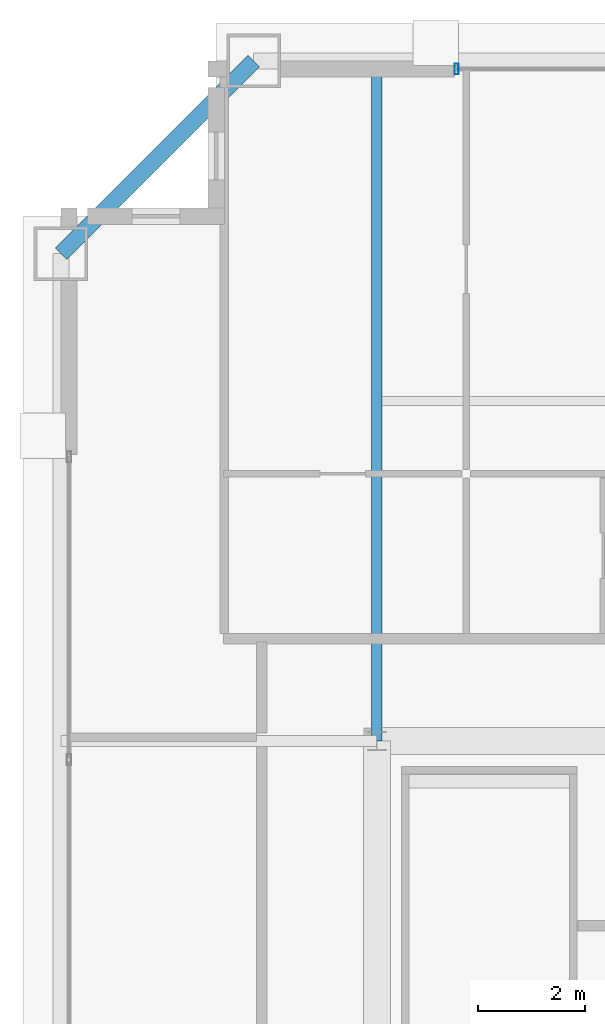
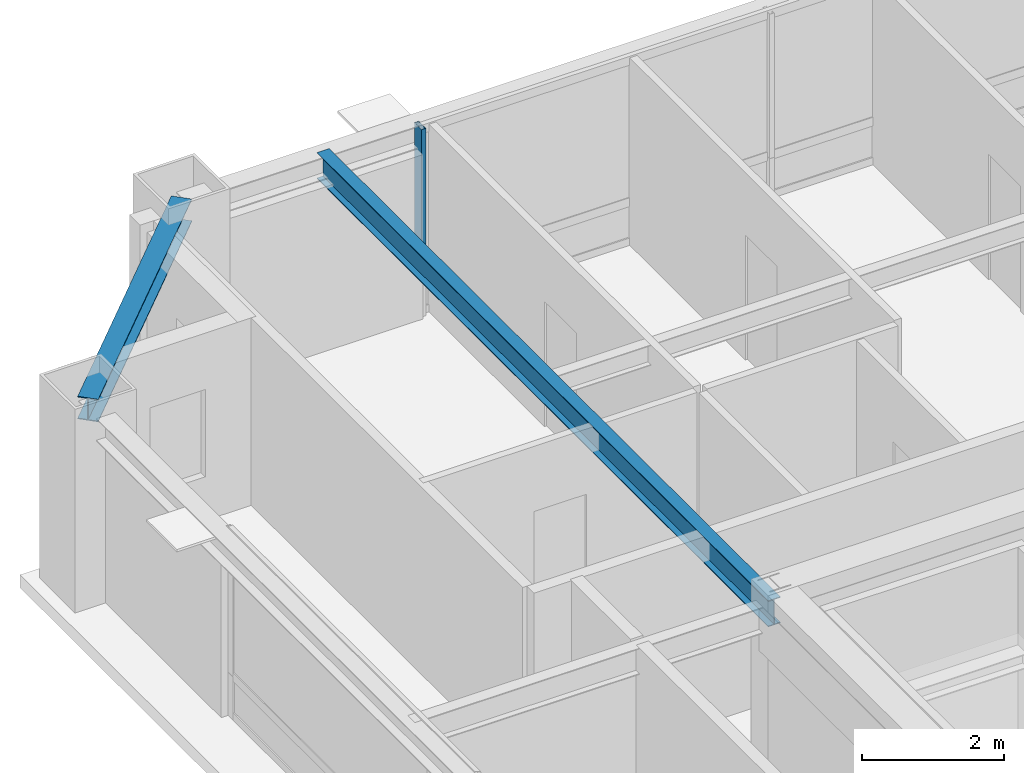
# One storey, part 16 of 35: 2 beams, 1 member, 1 element without a shape of its own.
"""IFC4 building model written with IfcOpenShell, lengths in metres."""

from ifc_helpers import new_model, si_unit, direction, frame, origin, origin_2d, place, context, subcontext, project, spatial, hollow_rectangle, i_section, extrude, source, transform, mapped, material, layer, layer_set, material_profile, profile_set, type_object, element, aggregate, save


model = new_model("IFC4")

# Units and contexts
model_context = context("Model", 3, precision=1e-05, world=origin(), true_north=direction((0.0, 1.0)))
body_context = subcontext(model_context, "Body", "Model", "MODEL_VIEW")
ifc_project = project(units=[si_unit("LENGTHUNIT", "METRE"), si_unit("AREAUNIT", "SQUARE_METRE"), si_unit("VOLUMEUNIT", "CUBIC_METRE"), si_unit("PLANEANGLEUNIT", "RADIAN"), si_unit("MASSUNIT", "GRAM", prefix="KILO"), si_unit("THERMODYNAMICTEMPERATUREUNIT", "KELVIN"), si_unit("POWERUNIT", "WATT")], contexts=[model_context])

# Site, building, storey
site_placement = place(None, origin())
site = spatial("IfcSite", under=ifc_project, at=site_placement, CompositionType="ELEMENT")
building_placement = place(site_placement, origin())
building = spatial("IfcBuilding", under=site, at=building_placement, Name="Yuzanri Waterfront Tower", CompositionType="ELEMENT")
storey_placement = place(building_placement, frame((0.0, 0.0, 303.10009765625)))
storey = spatial("IfcBuildingStorey", under=building, at=storey_placement, Name="L81", CompositionType="ELEMENT", Elevation=303.10009765625)

# Beams
ifc_material_1 = material(Name="Steel Q355B", Category="steel")
ifc_material_profile_1 = material_profile(ifc_material_1, i_section(OverallWidth=0.300048828125, OverallDepth=0.389892578125, WebThickness=0.010009765625, FlangeThickness=0.01611328125, at=origin_2d()), Name="HM 390x300x10x16")
ifc_profile_set_1 = profile_set([ifc_material_profile_1], Name="Steel Q355B")
beam_type_1 = type_object("IfcBeamType", Name="Perimeter Spandrel Q355B HM 390x300", PredefinedType="SPANDREL", material=ifc_profile_set_1)
shared_shape_1 = source(origin(), body_context, "Body", "SweptSolid", [
    extrude(i_section(OverallWidth=0.300048828125, OverallDepth=0.389892578125, WebThickness=0.010009765625, FlangeThickness=0.01611328125, at=origin_2d()), origin(), (0.0, 0.0, 1.0), 5.091064453125),
])
beam_1_placement = place(storey_placement, frame((21.5, 44.89990234375, 3.02490234375), z_axis=(-0.707130757816, -0.707082803744, 0.0), x_axis=(0.707082803744, -0.707130757816, 0.0)))
element("IfcBeam", 1, at=beam_1_placement, inside=storey, type_object=beam_type_1, Name="L81 Perimeter Spandrel N1-W3", PredefinedType="SPANDREL", context=body_context, shape_type="MappedRepresentation", body=[
    mapped(shared_shape_1, transform((0.0, 0.0, 0.0), scale=1.0)),
])
ifc_material_2 = material(Name="Steel Q355B", Category="steel")
ifc_material_profile_2 = material_profile(ifc_material_2, i_section(OverallWidth=0.199951171875, OverallDepth=0.449951171875, WebThickness=0.009033203125, FlangeThickness=0.013916015625, at=origin_2d()), Name="HN 450x200x9x14")
ifc_profile_set_2 = profile_set([ifc_material_profile_2], Name="Steel Q355B")
beam_type_2 = type_object("IfcBeamType", Name="Secondary Floor Beam Q355B HN 450x200", PredefinedType="BEAM", material=ifc_profile_set_2)
shared_shape_2 = source(origin(), body_context, "Body", "SweptSolid", [
    extrude(i_section(OverallWidth=0.199951171875, OverallDepth=0.449951171875, WebThickness=0.009033203125, FlangeThickness=0.013916015625, at=origin_2d()), origin(), (0.0, 0.0, 1.0), 12.699951171875),
])
beam_2_placement = place(storey_placement, frame((23.800048828125, 32.199951171875, 2.994873046875), z_axis=(0.0, 1.0, 0.0), x_axis=(-1.0, 0.0, 0.0)))
element("IfcBeam", 2, at=beam_2_placement, inside=storey, type_object=beam_type_2, Name="L81 North-West Core Line Beam", PredefinedType="BEAM", context=body_context, shape_type="MappedRepresentation", body=[
    mapped(shared_shape_2, transform((0.0, 0.0, 0.0), scale=1.0)),
])

# Curtain wall, member
ifc_material_3 = material(Name="Anodized Architectural Bronze", Category="metal")
ifc_layer = layer(ifc_material_3, 0.159912109375)
ifc_layer_set = layer_set([ifc_layer], Name="Anodized Architectural Bronze")
curtain_wall_type = type_object("IfcCurtainWallType", Name="Anodized Bronze High-Rise Penthouse High-Wind Unitized Curtain Wall 6900", PredefinedType="NOTDEFINED", material=ifc_layer_set)
curtain_wall_placement = place(storey_placement, origin())
curtain_wall = element("IfcCurtainWall", 3, at=curtain_wall_placement, inside=storey, type_object=curtain_wall_type, Name="L81 Curtain Wall CW-L81-NL", PredefinedType="NOTDEFINED")
ifc_material_4 = material(Name="Anodized Architectural Bronze", Category="metal")
ifc_material_profile_3 = material_profile(ifc_material_4, hollow_rectangle(XDim=0.074951171875, YDim=0.199951171875, WallThickness=0.00390625, at=origin_2d()), Name="CWM 75x200")
ifc_profile_set_3 = profile_set([ifc_material_profile_3], Name="Anodized Architectural Bronze")
member_type = type_object("IfcMemberType", Name="Anodized Bronze Primary Curtain-Wall Mullion 75x200", PredefinedType="MULLION", material=ifc_profile_set_3)
shared_shape_3 = source(origin(), body_context, "Body", "SweptSolid", [
    extrude(hollow_rectangle(XDim=0.074951171875, YDim=0.199951171875, WallThickness=0.00390625, at=origin_2d()), origin(), (0.0, 0.0, 1.0), 2.47705078125),
])
member_placement = place(storey_placement, frame((25.2900390625, 44.75, 0.742919921875), z_axis=(0.0, 0.0, 1.0), x_axis=(1.0, 0.0, 0.0)))
member = element("IfcMember", 4, at=member_placement, type_object=member_type, Name="CW-L81-NL Upper Mullion 00", PredefinedType="MULLION", context=body_context, shape_type="MappedRepresentation", body=[
    mapped(shared_shape_3, transform((0.0, 0.0, 0.0), scale=1.0)),
])
aggregate(curtain_wall, [member])

save(model, "model.ifc")
